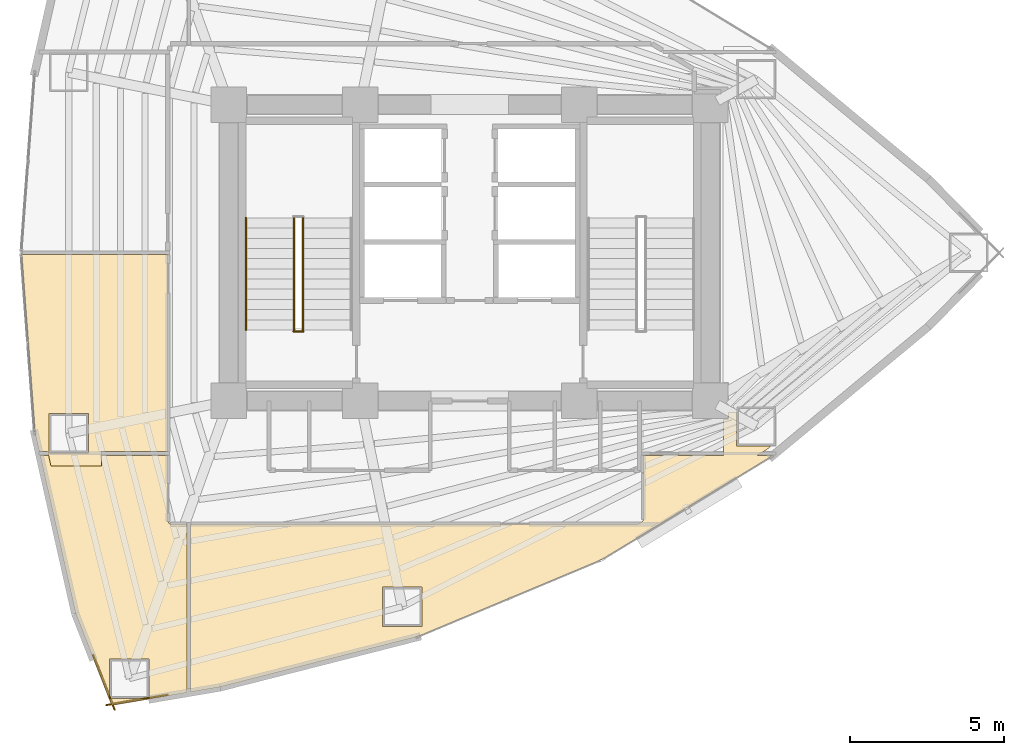
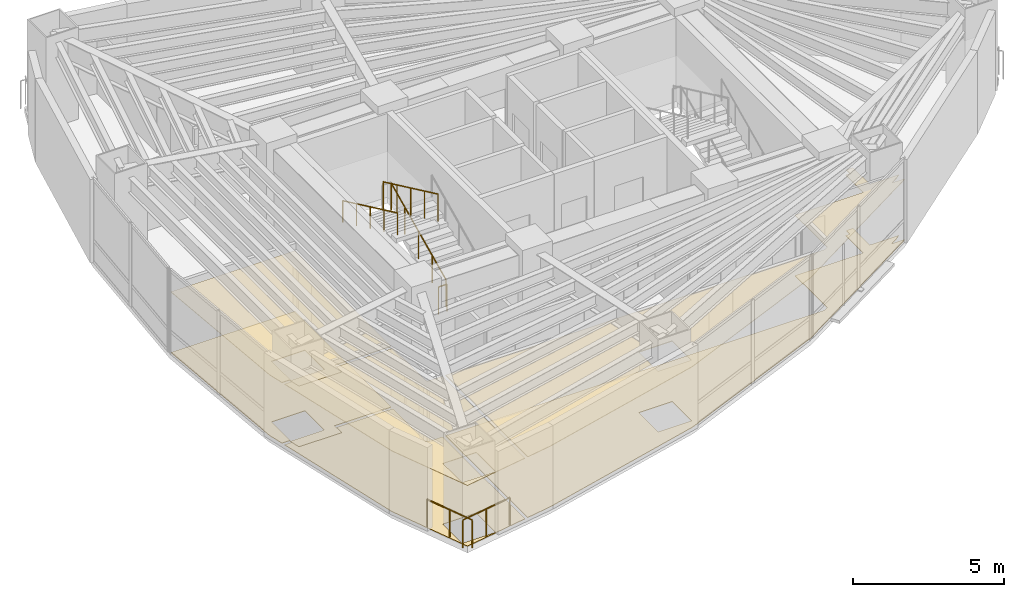
# One storey, part 15 of 16: 6 coverings, 6 railings.
"""IFC4 building model written with IfcOpenShell, lengths in metres."""

from ifc_helpers import new_model, si_unit, direction, frame, origin, origin_2d, place, context, subcontext, project, spatial, polyline, circle, outline, extrude, material, layer, layer_set, type_object, element, save


model = new_model("IFC4")

# Units and contexts
model_context = context("Model", 3, precision=1e-05, world=origin(), true_north=direction((0.0, 1.0)))
body_context = subcontext(model_context, "Body", "Model", "MODEL_VIEW")
ifc_project = project(units=[si_unit("LENGTHUNIT", "METRE"), si_unit("AREAUNIT", "SQUARE_METRE"), si_unit("VOLUMEUNIT", "CUBIC_METRE"), si_unit("PLANEANGLEUNIT", "RADIAN"), si_unit("MASSUNIT", "GRAM", prefix="KILO")], contexts=[model_context])

# Site, building, storey
site_placement = place(None, origin())
site = spatial("IfcSite", under=ifc_project, at=site_placement, CompositionType="ELEMENT")
building_placement = place(site_placement, origin())
building = spatial("IfcBuilding", under=site, at=building_placement, Name="Menara Vayukalpa", CompositionType="ELEMENT")
storey_placement = place(building_placement, frame((0.0, 0.0, 79.679931640625)))
storey = spatial("IfcBuildingStorey", under=building, at=storey_placement, Name="L19", CompositionType="ELEMENT", Elevation=79.679931640625)

# Coverings
ifc_material_1 = material(Name="Mineral Fibre Acoustic Ceiling Tile", Category="masonry")
ifc_layer_1 = layer(ifc_material_1, 0.02490234375)
ifc_layer_set_1 = layer_set([ifc_layer_1], Name="Mineral Fibre Acoustic Ceiling Tile")
covering_type_1 = type_object("IfcCoveringType", Name="COV-CLG1", PredefinedType="CEILING", material=ifc_layer_set_1)
covering_1_placement = place(storey_placement, frame((0.0, 0.0, 2.449951171875)))
element("IfcCovering", 1, at=covering_1_placement, inside=storey, type_object=covering_type_1, Name="L19 Visitor Reception Lounge Acoustic Ceiling", PredefinedType="CEILING", context=body_context, shape_type="SweptSolid", body=[
    extrude(outline(polyline([(11.65869140625, 15.56005859375), (11.65771484375, 15.56005859375), (11.65673828125, 15.560302734375), (11.65576171875, 15.560302734375), (11.65478515625, 15.560791015625), (11.654052734375, 15.56103515625), (11.653076171875, 15.5615234375), (11.65234375, 15.562255859375), (11.651611328125, 15.562744140625), (11.65087890625, 15.5634765625), (11.650390625, 15.564208984375), (11.64990234375, 15.565185546875), (11.6494140625, 15.56591796875), (11.649169921875, 15.56689453125), (11.648681640625, 15.56787109375), (11.5166015625, 16.155029296875), (11.516357421875, 16.156494140625), (11.08349609375, 21.92919921875), (11.08349609375, 21.93017578125), (11.08349609375, 21.93115234375), (11.083740234375, 21.93212890625), (11.083984375, 21.93310546875), (11.084228515625, 21.93408203125), (11.084716796875, 21.934814453125), (11.085205078125, 21.935791015625), (11.085693359375, 21.936279296875), (11.08642578125, 21.93701171875), (11.087158203125, 21.937744140625), (11.087890625, 21.9384765625), (11.0888671875, 21.93896484375), (11.089599609375, 21.939208984375), (11.090576171875, 21.939697265625), (11.091552734375, 21.939697265625), (11.092529296875, 21.93994140625), (11.093505859375, 21.93994140625), (15.820068359375, 21.93994140625), (15.821044921875, 21.93994140625), (15.822021484375, 21.939697265625), (15.822998046875, 21.939697265625), (15.82373046875, 21.939208984375), (15.82470703125, 21.938720703125), (15.82568359375, 21.938232421875), (15.826416015625, 21.937744140625), (15.8271484375, 21.93701171875), (15.82763671875, 21.936279296875), (15.828369140625, 21.935546875), (15.828857421875, 21.934814453125), (15.8291015625, 21.933837890625), (15.82958984375, 21.932861328125), (15.829833984375, 21.931884765625), (15.830078125, 21.930908203125), (15.830078125, 21.929931640625), (15.830078125, 15.570068359375), (15.830078125, 15.569091796875), (15.829833984375, 15.568115234375), (15.82958984375, 15.567138671875), (15.8291015625, 15.566162109375), (15.828857421875, 15.565185546875), (15.828369140625, 15.564453125), (15.82763671875, 15.563720703125), (15.8271484375, 15.56298828125), (15.826416015625, 15.562255859375), (15.82568359375, 15.561767578125), (15.82470703125, 15.561279296875), (15.82373046875, 15.560791015625), (15.822998046875, 15.560302734375), (15.822021484375, 15.560302734375), (15.821044921875, 15.56005859375), (15.820068359375, 15.56005859375), (13.66650390625, 15.56005859375), (13.66650390625, 15.09423828125), (12.031982421875, 15.09423828125), (11.92724609375, 15.56005859375), (11.65869140625, 15.56005859375)]), holes=[polyline([(13.24658203125, 16.794189453125), (11.966552734375, 16.794189453125), (11.966552734375, 15.514404296875), (13.24658203125, 15.514404296875), (13.24658203125, 16.794189453125)])]), origin(), (0.0, 0.0, 1.0), 0.025146484375),
])
covering_2_placement = place(storey_placement, frame((0.0, 0.0, 2.449951171875)))
element("IfcCovering", 2, at=covering_2_placement, inside=storey, type_object=covering_type_1, Name="L19 Visitor Reception Lounge Acoustic Ceiling", PredefinedType="CEILING", context=body_context, shape_type="SweptSolid", body=[
    extrude(outline(polyline([(14.005615234375, 7.33642578125), (14.00439453125, 7.336669921875), (14.003662109375, 7.3369140625), (14.002685546875, 7.33740234375), (14.001708984375, 7.337646484375), (14.0009765625, 7.338134765625), (14.000244140625, 7.3388671875), (13.99951171875, 7.339599609375), (13.998779296875, 7.340087890625), (13.998291015625, 7.341064453125), (13.997802734375, 7.341796875), (13.997314453125, 7.3427734375), (12.831787109375, 10.310791015625), (12.83154296875, 10.3115234375), (12.831298828125, 10.312255859375), (11.680419921875, 15.427734375), (11.68017578125, 15.4287109375), (11.68017578125, 15.4296875), (11.68017578125, 15.430908203125), (11.680419921875, 15.431884765625), (11.680419921875, 15.4326171875), (11.680908203125, 15.43359375), (11.68115234375, 15.4345703125), (11.681640625, 15.435302734375), (11.682373046875, 15.436279296875), (11.68310546875, 15.43701171875), (11.68359375, 15.437744140625), (11.6845703125, 15.438232421875), (11.685302734375, 15.438720703125), (11.686279296875, 15.439208984375), (11.687255859375, 15.439697265625), (11.68798828125, 15.439697265625), (11.689208984375, 15.43994140625), (11.690185546875, 15.43994140625), (11.954345703125, 15.43994140625), (11.7841796875, 16.19580078125), (11.7080078125, 17.21435546875), (13.66650390625, 17.21435546875), (13.66650390625, 15.43994140625), (15.820068359375, 15.43994140625), (15.821044921875, 15.43994140625), (15.822021484375, 15.439697265625), (15.822998046875, 15.439697265625), (15.82373046875, 15.439208984375), (15.82470703125, 15.438720703125), (15.82568359375, 15.438232421875), (15.826416015625, 15.437744140625), (15.8271484375, 15.43701171875), (15.82763671875, 15.436279296875), (15.828369140625, 15.435546875), (15.828857421875, 15.434814453125), (15.8291015625, 15.433837890625), (15.82958984375, 15.432861328125), (15.829833984375, 15.431884765625), (15.830078125, 15.430908203125), (15.830078125, 15.429931640625), (15.830078125, 13.290283203125), (15.830322265625, 13.283203125), (15.831298828125, 13.2763671875), (15.8330078125, 13.269775390625), (15.835205078125, 13.26318359375), (15.838134765625, 13.257080078125), (15.841796875, 13.251220703125), (15.845947265625, 13.24560546875), (15.8505859375, 13.240478515625), (15.85546875, 13.236083984375), (15.861083984375, 13.231689453125), (15.866943359375, 13.228271484375), (15.873291015625, 13.225341796875), (15.879638671875, 13.222900390625), (15.88623046875, 13.22119140625), (15.893310546875, 13.220458984375), (15.900390625, 13.219970703125), (16.429931640625, 13.219970703125), (16.430908203125, 13.219970703125), (16.431884765625, 13.2197265625), (16.432861328125, 13.219482421875), (16.433837890625, 13.21923828125), (16.434814453125, 13.21875), (16.435546875, 13.21826171875), (16.436279296875, 13.2177734375), (16.43701171875, 13.217041015625), (16.437744140625, 13.21630859375), (16.438232421875, 13.215576171875), (16.438720703125, 13.214599609375), (16.439208984375, 13.2138671875), (16.439697265625, 13.212890625), (16.439697265625, 13.2119140625), (16.43994140625, 13.2109375), (16.43994140625, 13.2099609375), (16.43994140625, 7.7578125), (16.43994140625, 7.7568359375), (16.439697265625, 7.755859375), (16.439697265625, 7.7548828125), (16.439208984375, 7.75390625), (16.438720703125, 7.7529296875), (16.438232421875, 7.752197265625), (16.4375, 7.751220703125), (16.43701171875, 7.75048828125), (16.436279296875, 7.75), (16.435302734375, 7.74951171875), (16.4345703125, 7.748779296875), (16.43359375, 7.74853515625), (16.4326171875, 7.748291015625), (16.431640625, 7.747802734375), (14.00830078125, 7.33642578125), (14.00732421875, 7.33642578125), (14.00634765625, 7.33642578125), (14.005615234375, 7.33642578125)]), holes=[polyline([(15.208984375, 8.842529296875), (13.92919921875, 8.842529296875), (13.92919921875, 7.5625), (15.208984375, 7.5625), (15.208984375, 8.842529296875)]), polyline([(13.24658203125, 16.794189453125), (11.966552734375, 16.794189453125), (11.966552734375, 15.514404296875), (13.24658203125, 15.514404296875), (13.24658203125, 16.794189453125)])]), origin(), (0.0, 0.0, 1.0), 0.025146484375),
])
covering_3_placement = place(storey_placement, frame((0.0, 0.0, 2.449951171875)))
element("IfcCovering", 3, at=covering_3_placement, inside=storey, type_object=covering_type_1, Name="L19 Visitor Reception Lounge Acoustic Ceiling", PredefinedType="CEILING", context=body_context, shape_type="SweptSolid", body=[
    extrude(outline(polyline([(23.90478515625, 9.562255859375), (23.903564453125, 9.561767578125), (17.5087890625, 7.930908203125), (17.5078125, 7.9306640625), (16.57177734375, 7.771728515625), (16.57080078125, 7.771484375), (16.569580078125, 7.771484375), (16.56884765625, 7.771728515625), (16.56787109375, 7.771728515625), (16.56689453125, 7.772216796875), (16.56591796875, 7.7724609375), (16.565185546875, 7.77294921875), (16.564208984375, 7.7734375), (16.5634765625, 7.77392578125), (16.562744140625, 7.774658203125), (16.562255859375, 7.775390625), (16.5615234375, 7.776123046875), (16.56103515625, 7.777099609375), (16.560791015625, 7.77783203125), (16.560302734375, 7.77880859375), (16.560302734375, 7.77978515625), (16.56005859375, 7.780517578125), (16.56005859375, 7.781494140625), (16.56005859375, 13.2099609375), (16.56005859375, 13.2109375), (16.560302734375, 13.2119140625), (16.560302734375, 13.212890625), (16.560791015625, 13.2138671875), (16.561279296875, 13.214599609375), (16.561767578125, 13.215576171875), (16.562255859375, 13.21630859375), (16.56298828125, 13.217041015625), (16.563720703125, 13.2177734375), (16.564453125, 13.21826171875), (16.565185546875, 13.21875), (16.566162109375, 13.21923828125), (16.567138671875, 13.219482421875), (16.568115234375, 13.2197265625), (16.569091796875, 13.219970703125), (16.570068359375, 13.219970703125), (31.048828125, 13.219970703125), (31.055419921875, 13.22021484375), (31.0615234375, 13.22119140625), (31.06787109375, 13.22265625), (31.073974609375, 13.224609375), (31.079833984375, 13.22705078125), (31.085693359375, 13.230224609375), (31.186279296875, 13.29150390625), (31.192138671875, 13.295654296875), (31.19775390625, 13.30029296875), (31.202880859375, 13.305419921875), (31.207275390625, 13.31103515625), (31.2109375, 13.317138671875), (31.214111328125, 13.323486328125), (31.216796875, 13.330078125), (31.218505859375, 13.337158203125), (31.219482421875, 13.34423828125), (31.219970703125, 13.3515625), (31.219970703125, 14.849609375), (31.219482421875, 14.856689453125), (31.21875, 14.86376953125), (31.217041015625, 14.870361328125), (31.214599609375, 14.876708984375), (31.2119140625, 14.8828125), (31.211669921875, 14.883056640625), (31.211181640625, 14.8837890625), (31.210693359375, 14.884765625), (31.21044921875, 14.8857421875), (31.210205078125, 14.88671875), (31.2099609375, 14.8876953125), (31.2099609375, 14.888671875), (31.2099609375, 15.429931640625), (31.2099609375, 15.430908203125), (31.210205078125, 15.431884765625), (31.21044921875, 15.432861328125), (31.210693359375, 15.433837890625), (31.211181640625, 15.434814453125), (31.211669921875, 15.435546875), (31.21240234375, 15.436279296875), (31.212890625, 15.43701171875), (31.213623046875, 15.437744140625), (31.21435546875, 15.438232421875), (31.21533203125, 15.438720703125), (31.21630859375, 15.439208984375), (31.217041015625, 15.439697265625), (31.218017578125, 15.439697265625), (31.218994140625, 15.43994140625), (31.219970703125, 15.43994140625), (33.826904296875, 15.43994140625), (33.826904296875, 16.610107421875), (33.989990234375, 16.610107421875), (33.989990234375, 16.85009765625), (34.246826171875, 16.85009765625), (34.246826171875, 15.73828125), (35.357666015625, 15.73828125), (35.22314453125, 15.626708984375), (34.915771484375, 15.43994140625), (35.39306640625, 15.43994140625), (35.39404296875, 15.43994140625), (35.39501953125, 15.439697265625), (35.39599609375, 15.439697265625), (35.39697265625, 15.439208984375), (35.397705078125, 15.438720703125), (35.398681640625, 15.438232421875), (35.3994140625, 15.437744140625), (35.400146484375, 15.43701171875), (35.40087890625, 15.436279296875), (35.4013671875, 15.435546875), (35.40185546875, 15.434814453125), (35.40234375, 15.433837890625), (35.402587890625, 15.432861328125), (35.40283203125, 15.431884765625), (35.403076171875, 15.430908203125), (35.403076171875, 15.43017578125), (35.403076171875, 15.42919921875), (35.40283203125, 15.427978515625), (35.402587890625, 15.42724609375), (35.40234375, 15.42626953125), (35.402099609375, 15.42529296875), (35.401611328125, 15.424560546875), (35.40087890625, 15.423583984375), (35.400146484375, 15.423095703125), (35.3994140625, 15.42236328125), (35.380859375, 15.40673828125), (35.380126953125, 15.40625), (35.379638671875, 15.406005859375), (29.862060546875, 12.05419921875), (29.861328125, 12.0537109375), (29.860595703125, 12.053466796875), (23.90478515625, 9.562255859375)]), holes=[polyline([(24.048095703125, 11.172607421875), (22.768310546875, 11.172607421875), (22.768310546875, 9.892578125), (24.048095703125, 9.892578125), (24.048095703125, 11.172607421875)])]), origin(), (0.0, 0.0, 1.0), 0.025146484375),
])
ifc_material_2 = material(Name="Porcelain Stoneware Floor Tile", Category="masonry")
ifc_layer_2 = layer(ifc_material_2, 0.02001953125)
ifc_layer_set_2 = layer_set([ifc_layer_2], Name="Porcelain Stoneware Floor Tile")
covering_type_2 = type_object("IfcCoveringType", Name="COV-FLR1", PredefinedType="FLOORING", material=ifc_layer_set_2)
covering_4_placement = place(storey_placement, origin())
element("IfcCovering", 4, at=covering_4_placement, inside=storey, type_object=covering_type_2, Name="L19 Visitor Reception Lounge Porcelain Flooring", PredefinedType="FLOORING", context=body_context, shape_type="SweptSolid", body=[
    extrude(outline(polyline([(11.65869140625, 15.56005859375), (11.65771484375, 15.56005859375), (11.65673828125, 15.560302734375), (11.65576171875, 15.560302734375), (11.65478515625, 15.560791015625), (11.654052734375, 15.56103515625), (11.653076171875, 15.5615234375), (11.65234375, 15.562255859375), (11.651611328125, 15.562744140625), (11.65087890625, 15.5634765625), (11.650390625, 15.564208984375), (11.64990234375, 15.565185546875), (11.6494140625, 15.56591796875), (11.649169921875, 15.56689453125), (11.648681640625, 15.56787109375), (11.5166015625, 16.155029296875), (11.516357421875, 16.156494140625), (11.08349609375, 21.92919921875), (11.08349609375, 21.93017578125), (11.08349609375, 21.93115234375), (11.083740234375, 21.93212890625), (11.083984375, 21.93310546875), (11.084228515625, 21.93408203125), (11.084716796875, 21.934814453125), (11.085205078125, 21.935791015625), (11.085693359375, 21.936279296875), (11.08642578125, 21.93701171875), (11.087158203125, 21.937744140625), (11.087890625, 21.9384765625), (11.0888671875, 21.93896484375), (11.089599609375, 21.939208984375), (11.090576171875, 21.939697265625), (11.091552734375, 21.939697265625), (11.092529296875, 21.93994140625), (11.093505859375, 21.93994140625), (15.820068359375, 21.93994140625), (15.821044921875, 21.93994140625), (15.822021484375, 21.939697265625), (15.822998046875, 21.939697265625), (15.82373046875, 21.939208984375), (15.82470703125, 21.938720703125), (15.82568359375, 21.938232421875), (15.826416015625, 21.937744140625), (15.8271484375, 21.93701171875), (15.82763671875, 21.936279296875), (15.828369140625, 21.935546875), (15.828857421875, 21.934814453125), (15.8291015625, 21.933837890625), (15.82958984375, 21.932861328125), (15.829833984375, 21.931884765625), (15.830078125, 21.930908203125), (15.830078125, 21.929931640625), (15.830078125, 15.570068359375), (15.830078125, 15.569091796875), (15.829833984375, 15.568115234375), (15.82958984375, 15.567138671875), (15.8291015625, 15.566162109375), (15.828857421875, 15.565185546875), (15.828369140625, 15.564453125), (15.82763671875, 15.563720703125), (15.8271484375, 15.56298828125), (15.826416015625, 15.562255859375), (15.82568359375, 15.561767578125), (15.82470703125, 15.561279296875), (15.82373046875, 15.560791015625), (15.822998046875, 15.560302734375), (15.822021484375, 15.560302734375), (15.821044921875, 15.56005859375), (15.820068359375, 15.56005859375), (13.66650390625, 15.56005859375), (13.66650390625, 15.09423828125), (12.031982421875, 15.09423828125), (11.92724609375, 15.56005859375), (11.65869140625, 15.56005859375)]), holes=[polyline([(13.24658203125, 16.794189453125), (11.966552734375, 16.794189453125), (11.966552734375, 15.514404296875), (13.24658203125, 15.514404296875), (13.24658203125, 16.794189453125)])]), origin(), (0.0, 0.0, 1.0), 0.02001953125),
])
covering_5_placement = place(storey_placement, origin())
element("IfcCovering", 5, at=covering_5_placement, inside=storey, type_object=covering_type_2, Name="L19 Visitor Reception Lounge Porcelain Flooring", PredefinedType="FLOORING", context=body_context, shape_type="SweptSolid", body=[
    extrude(outline(polyline([(14.005615234375, 7.33642578125), (14.00439453125, 7.336669921875), (14.003662109375, 7.3369140625), (14.002685546875, 7.33740234375), (14.001708984375, 7.337646484375), (14.0009765625, 7.338134765625), (14.000244140625, 7.3388671875), (13.99951171875, 7.339599609375), (13.998779296875, 7.340087890625), (13.998291015625, 7.341064453125), (13.997802734375, 7.341796875), (13.997314453125, 7.3427734375), (12.831787109375, 10.310791015625), (12.83154296875, 10.3115234375), (12.831298828125, 10.312255859375), (11.680419921875, 15.427734375), (11.68017578125, 15.4287109375), (11.68017578125, 15.4296875), (11.68017578125, 15.430908203125), (11.680419921875, 15.431884765625), (11.680419921875, 15.4326171875), (11.680908203125, 15.43359375), (11.68115234375, 15.4345703125), (11.681640625, 15.435302734375), (11.682373046875, 15.436279296875), (11.68310546875, 15.43701171875), (11.68359375, 15.437744140625), (11.6845703125, 15.438232421875), (11.685302734375, 15.438720703125), (11.686279296875, 15.439208984375), (11.687255859375, 15.439697265625), (11.68798828125, 15.439697265625), (11.689208984375, 15.43994140625), (11.690185546875, 15.43994140625), (11.954345703125, 15.43994140625), (11.7841796875, 16.19580078125), (11.7080078125, 17.21435546875), (13.66650390625, 17.21435546875), (13.66650390625, 15.43994140625), (15.820068359375, 15.43994140625), (15.821044921875, 15.43994140625), (15.822021484375, 15.439697265625), (15.822998046875, 15.439697265625), (15.82373046875, 15.439208984375), (15.82470703125, 15.438720703125), (15.82568359375, 15.438232421875), (15.826416015625, 15.437744140625), (15.8271484375, 15.43701171875), (15.82763671875, 15.436279296875), (15.828369140625, 15.435546875), (15.828857421875, 15.434814453125), (15.8291015625, 15.433837890625), (15.82958984375, 15.432861328125), (15.829833984375, 15.431884765625), (15.830078125, 15.430908203125), (15.830078125, 15.429931640625), (15.830078125, 13.290283203125), (15.830322265625, 13.283203125), (15.831298828125, 13.2763671875), (15.8330078125, 13.269775390625), (15.835205078125, 13.26318359375), (15.838134765625, 13.257080078125), (15.841796875, 13.251220703125), (15.845947265625, 13.24560546875), (15.8505859375, 13.240478515625), (15.85546875, 13.236083984375), (15.861083984375, 13.231689453125), (15.866943359375, 13.228271484375), (15.873291015625, 13.225341796875), (15.879638671875, 13.222900390625), (15.88623046875, 13.22119140625), (15.893310546875, 13.220458984375), (15.900390625, 13.219970703125), (16.429931640625, 13.219970703125), (16.430908203125, 13.219970703125), (16.431884765625, 13.2197265625), (16.432861328125, 13.219482421875), (16.433837890625, 13.21923828125), (16.434814453125, 13.21875), (16.435546875, 13.21826171875), (16.436279296875, 13.2177734375), (16.43701171875, 13.217041015625), (16.437744140625, 13.21630859375), (16.438232421875, 13.215576171875), (16.438720703125, 13.214599609375), (16.439208984375, 13.2138671875), (16.439697265625, 13.212890625), (16.439697265625, 13.2119140625), (16.43994140625, 13.2109375), (16.43994140625, 13.2099609375), (16.43994140625, 7.7578125), (16.43994140625, 7.7568359375), (16.439697265625, 7.755859375), (16.439697265625, 7.7548828125), (16.439208984375, 7.75390625), (16.438720703125, 7.7529296875), (16.438232421875, 7.752197265625), (16.4375, 7.751220703125), (16.43701171875, 7.75048828125), (16.436279296875, 7.75), (16.435302734375, 7.74951171875), (16.4345703125, 7.748779296875), (16.43359375, 7.74853515625), (16.4326171875, 7.748291015625), (16.431640625, 7.747802734375), (14.00830078125, 7.33642578125), (14.00732421875, 7.33642578125), (14.00634765625, 7.33642578125), (14.005615234375, 7.33642578125)]), holes=[polyline([(15.208984375, 8.842529296875), (13.92919921875, 8.842529296875), (13.92919921875, 7.5625), (15.208984375, 7.5625), (15.208984375, 8.842529296875)]), polyline([(13.24658203125, 16.794189453125), (11.966552734375, 16.794189453125), (11.966552734375, 15.514404296875), (13.24658203125, 15.514404296875), (13.24658203125, 16.794189453125)])]), origin(), (0.0, 0.0, 1.0), 0.02001953125),
])
covering_6_placement = place(storey_placement, origin())
element("IfcCovering", 6, at=covering_6_placement, inside=storey, type_object=covering_type_2, Name="L19 Visitor Reception Lounge Porcelain Flooring", PredefinedType="FLOORING", context=body_context, shape_type="SweptSolid", body=[
    extrude(outline(polyline([(23.90478515625, 9.562255859375), (23.903564453125, 9.561767578125), (17.5087890625, 7.930908203125), (17.5078125, 7.9306640625), (16.57177734375, 7.771728515625), (16.57080078125, 7.771484375), (16.569580078125, 7.771484375), (16.56884765625, 7.771728515625), (16.56787109375, 7.771728515625), (16.56689453125, 7.772216796875), (16.56591796875, 7.7724609375), (16.565185546875, 7.77294921875), (16.564208984375, 7.7734375), (16.5634765625, 7.77392578125), (16.562744140625, 7.774658203125), (16.562255859375, 7.775390625), (16.5615234375, 7.776123046875), (16.56103515625, 7.777099609375), (16.560791015625, 7.77783203125), (16.560302734375, 7.77880859375), (16.560302734375, 7.77978515625), (16.56005859375, 7.780517578125), (16.56005859375, 7.781494140625), (16.56005859375, 13.2099609375), (16.56005859375, 13.2109375), (16.560302734375, 13.2119140625), (16.560302734375, 13.212890625), (16.560791015625, 13.2138671875), (16.561279296875, 13.214599609375), (16.561767578125, 13.215576171875), (16.562255859375, 13.21630859375), (16.56298828125, 13.217041015625), (16.563720703125, 13.2177734375), (16.564453125, 13.21826171875), (16.565185546875, 13.21875), (16.566162109375, 13.21923828125), (16.567138671875, 13.219482421875), (16.568115234375, 13.2197265625), (16.569091796875, 13.219970703125), (16.570068359375, 13.219970703125), (31.048828125, 13.219970703125), (31.055419921875, 13.22021484375), (31.0615234375, 13.22119140625), (31.06787109375, 13.22265625), (31.073974609375, 13.224609375), (31.079833984375, 13.22705078125), (31.085693359375, 13.230224609375), (31.186279296875, 13.29150390625), (31.192138671875, 13.295654296875), (31.19775390625, 13.30029296875), (31.202880859375, 13.305419921875), (31.207275390625, 13.31103515625), (31.2109375, 13.317138671875), (31.214111328125, 13.323486328125), (31.216796875, 13.330078125), (31.218505859375, 13.337158203125), (31.219482421875, 13.34423828125), (31.219970703125, 13.3515625), (31.219970703125, 14.849609375), (31.219482421875, 14.856689453125), (31.21875, 14.86376953125), (31.217041015625, 14.870361328125), (31.214599609375, 14.876708984375), (31.2119140625, 14.8828125), (31.211669921875, 14.883056640625), (31.211181640625, 14.8837890625), (31.210693359375, 14.884765625), (31.21044921875, 14.8857421875), (31.210205078125, 14.88671875), (31.2099609375, 14.8876953125), (31.2099609375, 14.888671875), (31.2099609375, 15.429931640625), (31.2099609375, 15.430908203125), (31.210205078125, 15.431884765625), (31.21044921875, 15.432861328125), (31.210693359375, 15.433837890625), (31.211181640625, 15.434814453125), (31.211669921875, 15.435546875), (31.21240234375, 15.436279296875), (31.212890625, 15.43701171875), (31.213623046875, 15.437744140625), (31.21435546875, 15.438232421875), (31.21533203125, 15.438720703125), (31.21630859375, 15.439208984375), (31.217041015625, 15.439697265625), (31.218017578125, 15.439697265625), (31.218994140625, 15.43994140625), (31.219970703125, 15.43994140625), (33.826904296875, 15.43994140625), (33.826904296875, 16.610107421875), (33.989990234375, 16.610107421875), (33.989990234375, 16.85009765625), (34.246826171875, 16.85009765625), (34.246826171875, 15.73828125), (35.357666015625, 15.73828125), (35.22314453125, 15.626708984375), (34.915771484375, 15.43994140625), (35.39306640625, 15.43994140625), (35.39404296875, 15.43994140625), (35.39501953125, 15.439697265625), (35.39599609375, 15.439697265625), (35.39697265625, 15.439208984375), (35.397705078125, 15.438720703125), (35.398681640625, 15.438232421875), (35.3994140625, 15.437744140625), (35.400146484375, 15.43701171875), (35.40087890625, 15.436279296875), (35.4013671875, 15.435546875), (35.40185546875, 15.434814453125), (35.40234375, 15.433837890625), (35.402587890625, 15.432861328125), (35.40283203125, 15.431884765625), (35.403076171875, 15.430908203125), (35.403076171875, 15.43017578125), (35.403076171875, 15.42919921875), (35.40283203125, 15.427978515625), (35.402587890625, 15.42724609375), (35.40234375, 15.42626953125), (35.402099609375, 15.42529296875), (35.401611328125, 15.424560546875), (35.40087890625, 15.423583984375), (35.400146484375, 15.423095703125), (35.3994140625, 15.42236328125), (35.380859375, 15.40673828125), (35.380126953125, 15.40625), (35.379638671875, 15.406005859375), (29.862060546875, 12.05419921875), (29.861328125, 12.0537109375), (29.860595703125, 12.053466796875), (23.90478515625, 9.562255859375)]), holes=[polyline([(24.048095703125, 11.172607421875), (22.768310546875, 11.172607421875), (22.768310546875, 9.892578125), (24.048095703125, 9.892578125), (24.048095703125, 11.172607421875)])]), origin(), (0.0, 0.0, 1.0), 0.02001953125),
])

# Railings
ifc_material_3 = material(Name="Laminated Glass and Stainless Steel 316 Guardrail", Category="steel")
railing_type_1 = type_object("IfcRailingType", Name="RLG-EXT115", PredefinedType="GUARDRAIL", material=ifc_material_3)
railing_1_placement = place(storey_placement, frame((13.39990234375, 8.9736328125, 0.0)))
element("IfcRailing", 7, at=railing_1_placement, inside=storey, type_object=railing_type_1, Name="L19 Column Corner Spandrel Guardrail 13-1", PredefinedType="GUARDRAIL", context=body_context, shape_type="SweptSolid", body=[
    extrude(circle(Radius=0.02392578125, at=origin_2d()), frame((0.0, 0.0, 1.1259765625), z_axis=(0.365573386764, -0.930782519652, 0.0), x_axis=(0.930782519652, 0.365573386764, 0.0)), (0.0, 0.0, 1.0), 1.91259765625),
    extrude(circle(Radius=0.02099609375, at=origin_2d()), origin(), (0.0, 0.0, 1.0), 1.101806640625),
    extrude(circle(Radius=0.02099609375, at=origin_2d()), frame((0.349609375, -0.89013671875, 0.0)), (0.0, 0.0, 1.0), 1.101806640625),
    extrude(circle(Radius=0.02099609375, at=origin_2d()), frame((0.69921875, -1.7802734375, 0.0)), (0.0, 0.0, 1.0), 1.101806640625),
])
railing_2_placement = place(storey_placement, frame((13.827880859375, 7.346435546875, 0.0)))
element("IfcRailing", 8, at=railing_2_placement, inside=storey, type_object=railing_type_1, Name="L19 Column Corner Spandrel Guardrail 14-1", PredefinedType="GUARDRAIL", context=body_context, shape_type="SweptSolid", body=[
    extrude(circle(Radius=0.02392578125, at=origin_2d()), frame((0.0, 0.0, 1.1259765625), z_axis=(0.985895977605, 0.16735925831, 0.0), x_axis=(-0.16735925831, 0.985895977605, 0.0)), (0.0, 0.0, 1.0), 2.01904296875),
    extrude(circle(Radius=0.02099609375, at=origin_2d()), origin(), (0.0, 0.0, 1.0), 1.101806640625),
    extrude(circle(Radius=0.02099609375, at=origin_2d()), frame((0.9951171875, 0.1689453125, 0.0)), (0.0, 0.0, 1.0), 1.101806640625),
    extrude(circle(Radius=0.02099609375, at=origin_2d()), frame((1.990478515625, 0.337890625, 0.0)), (0.0, 0.0, 1.0), 1.101806640625),
])
ifc_material_4 = material(Name="Powder-Coated Galvanised Steel Guardrail", Category="steel")
railing_type_2 = type_object("IfcRailingType", Name="RLG-STG110", PredefinedType="GUARDRAIL", material=ifc_material_4)
railing_3_placement = place(storey_placement, frame((20.199951171875, 19.5, 0.155029296875)))
element("IfcRailing", 9, at=railing_3_placement, inside=storey, type_object=railing_type_2, Name="L19 ST-1 stair guard 1", PredefinedType="GUARDRAIL", context=body_context, shape_type="SweptSolid", body=[
    extrude(circle(Radius=0.02392578125, at=origin_2d()), frame((0.0, 0.0, 1.09619140625), z_axis=(0.0, 0.90511648382, 0.425163675209), x_axis=(-1.0, 0.0, 0.0)), (0.0, 0.0, 1.0), 4.010498046875),
    extrude(circle(Radius=0.02099609375, at=origin_2d()), origin(), (0.0, 0.0, 1.0), 1.072021484375),
    extrude(circle(Radius=0.02099609375, at=origin_2d()), frame((0.0, 0.907470703125, 0.42626953125)), (0.0, 0.0, 1.0), 1.072021484375),
    extrude(circle(Radius=0.02099609375, at=origin_2d()), frame((0.0, 1.81494140625, 0.8525390625)), (0.0, 0.0, 1.0), 1.072021484375),
    extrude(circle(Radius=0.02099609375, at=origin_2d()), frame((0.0, 2.722412109375, 1.27880859375)), (0.0, 0.0, 1.0), 1.072021484375),
    extrude(circle(Radius=0.02099609375, at=origin_2d()), frame((0.0, 3.6298828125, 1.705078125)), (0.0, 0.0, 1.0), 1.072021484375),
])
railing_4_placement = place(storey_placement, frame((19.89990234375, 23.1298828125, 2.01513671875)))
element("IfcRailing", 10, at=railing_4_placement, inside=storey, type_object=railing_type_2, Name="L19 ST-1 stair guard 3", PredefinedType="GUARDRAIL", context=body_context, shape_type="SweptSolid", body=[
    extrude(circle(Radius=0.02392578125, at=origin_2d()), frame((0.0, 0.0, 1.09619140625), z_axis=(0.0, -0.90513990983, 0.425113800803), x_axis=(1.0, 0.0, 0.0)), (0.0, 0.0, 1.0), 4.01025390625),
    extrude(circle(Radius=0.02099609375, at=origin_2d()), origin(), (0.0, 0.0, 1.0), 1.072021484375),
    extrude(circle(Radius=0.02099609375, at=origin_2d()), frame((0.0, -0.907470703125, 0.42626953125)), (0.0, 0.0, 1.0), 1.072021484375),
    extrude(circle(Radius=0.02099609375, at=origin_2d()), frame((0.0, -1.81494140625, 0.8525390625)), (0.0, 0.0, 1.0), 1.072021484375),
    extrude(circle(Radius=0.02099609375, at=origin_2d()), frame((0.0, -2.722412109375, 1.278564453125)), (0.0, 0.0, 1.0), 1.072021484375),
    extrude(circle(Radius=0.02099609375, at=origin_2d()), frame((0.0, -3.6298828125, 1.704833984375)), (0.0, 0.0, 1.0), 1.072021484375),
])
railing_5_placement = place(storey_placement, frame((20.2099609375, 19.449951171875, 0.0)))
element("IfcRailing", 11, at=railing_5_placement, inside=storey, type_object=railing_type_2, Name="L19 ST-1 stair guard 4", PredefinedType="GUARDRAIL", context=body_context, shape_type="SweptSolid", body=[
    extrude(circle(Radius=0.02392578125, at=origin_2d()), frame((0.0, 0.0, 1.09619140625), z_axis=(-1.0, 0.0, 0.0), x_axis=(0.0, -1.0, 0.0)), (0.0, 0.0, 1.0), 0.320068359375),
    extrude(circle(Radius=0.02099609375, at=origin_2d()), origin(), (0.0, 0.0, 1.0), 1.072021484375),
    extrude(circle(Radius=0.02099609375, at=origin_2d()), frame((-0.320068359375, 0.0, 0.0)), (0.0, 0.0, 1.0), 1.072021484375),
])
ifc_material_5 = material(Name="Stainless Steel 316 Tubular Handrail", Category="steel")
railing_type_3 = type_object("IfcRailingType", Name="RLG-STH090", PredefinedType="HANDRAIL", material=ifc_material_5)
railing_6_placement = place(storey_placement, frame((18.35009765625, 23.1298828125, 2.01513671875)))
element("IfcRailing", 12, at=railing_6_placement, inside=storey, type_object=railing_type_3, Name="L19 ST-1 stair handrail 2", PredefinedType="HANDRAIL", context=body_context, shape_type="SweptSolid", body=[
    extrude(circle(Radius=0.02392578125, at=origin_2d()), frame((0.0, 0.0, 0.8759765625), z_axis=(0.0, -0.90513990983, 0.425113800803), x_axis=(1.0, 0.0, 0.0)), (0.0, 0.0, 1.0), 4.01025390625),
    extrude(circle(Radius=0.02099609375, at=origin_2d()), origin(), (0.0, 0.0, 1.0), 0.851806640625),
    extrude(circle(Radius=0.02099609375, at=origin_2d()), frame((0.0, -0.907470703125, 0.42626953125)), (0.0, 0.0, 1.0), 0.851806640625),
    extrude(circle(Radius=0.02099609375, at=origin_2d()), frame((0.0, -1.81494140625, 0.8525390625)), (0.0, 0.0, 1.0), 0.851806640625),
    extrude(circle(Radius=0.02099609375, at=origin_2d()), frame((0.0, -2.722412109375, 1.278564453125)), (0.0, 0.0, 1.0), 0.851806640625),
    extrude(circle(Radius=0.02099609375, at=origin_2d()), frame((0.0, -3.6298828125, 1.704833984375)), (0.0, 0.0, 1.0), 0.851806640625),
])

save(model, "model.ifc")
